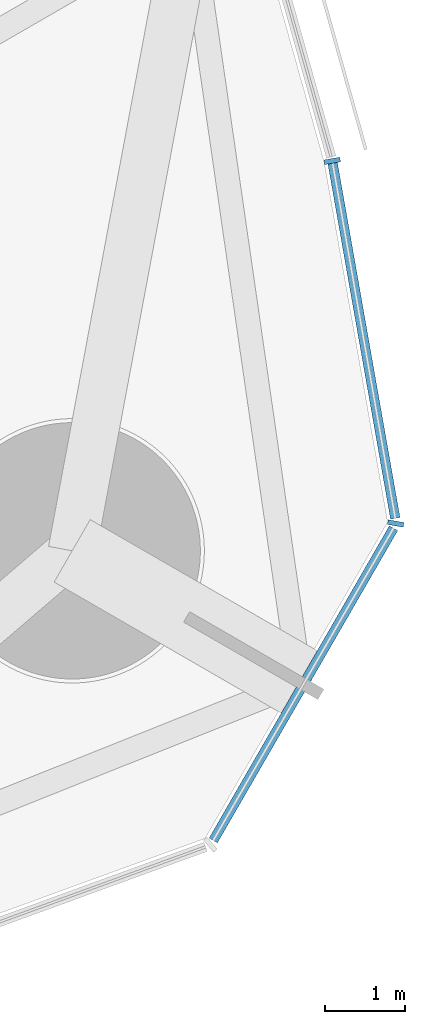
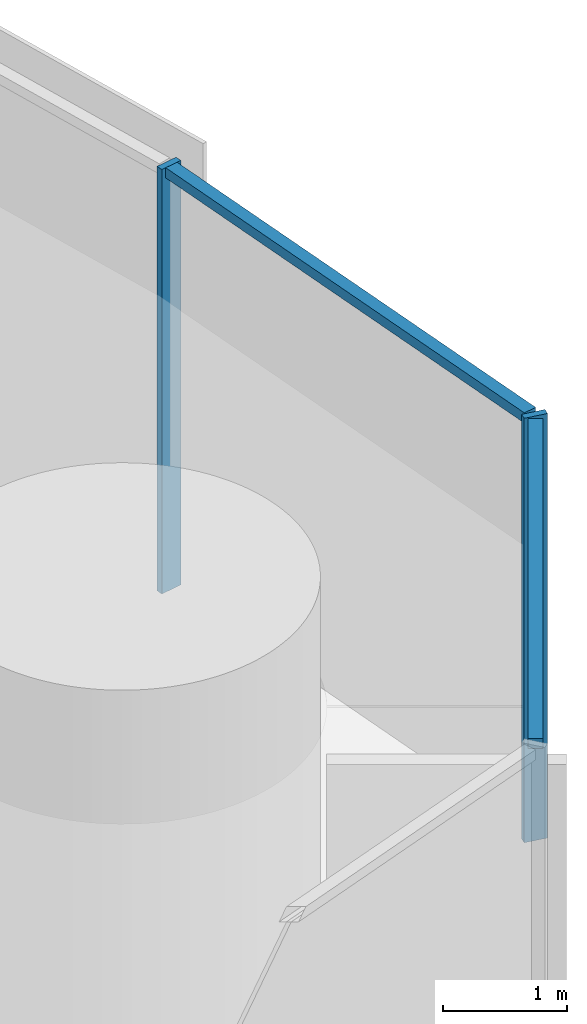
# One storey, part 9 of 19: 4 members, 1 element without a shape of its own.
"""IFC4 building model written with IfcOpenShell, lengths in metres."""

from ifc_helpers import new_model, si_unit, direction, frame, origin, origin_2d, place, context, subcontext, project, spatial, rectangle, extrude, material, material_profile, profile_set, type_object, element, aggregate, save


model = new_model("IFC4")

# Units and contexts
model_context = context("Model", 3, precision=1e-05, world=origin(), true_north=direction((0.0, 1.0)))
body_context = subcontext(model_context, "Body", "Model", "MODEL_VIEW")
ifc_project = project(units=[si_unit("LENGTHUNIT", "METRE"), si_unit("AREAUNIT", "SQUARE_METRE"), si_unit("VOLUMEUNIT", "CUBIC_METRE"), si_unit("PLANEANGLEUNIT", "RADIAN"), si_unit("MASSUNIT", "GRAM", prefix="KILO")], contexts=[model_context])

# Site, building, storey
site_placement = place(None, origin())
site = spatial("IfcSite", under=ifc_project, at=site_placement, CompositionType="ELEMENT")
building_placement = place(site_placement, origin())
building = spatial("IfcBuilding", under=site, at=building_placement, Name="Trefoil Bronze Tower", CompositionType="ELEMENT")
storey_placement = place(building_placement, frame((0.0, 0.0, 227.5)))
storey = spatial("IfcBuildingStorey", under=building, at=storey_placement, Name="L52", CompositionType="ELEMENT", Elevation=227.5)

# Curtain wall, members
ifc_material_1 = material(Name="Tinted solar-control glass", Category="glass")
curtain_wall_type = type_object("IfcCurtainWallType", Name="Bronze rounded corner curtain wall", PredefinedType="USERDEFINED", material=ifc_material_1)
curtain_wall_placement = place(storey_placement, origin())
curtain_wall = element("IfcCurtainWall", 1, at=curtain_wall_placement, inside=storey, type_object=curtain_wall_type, Name="CW-B L52 K1", ObjectType="CURTAIN WALL", PredefinedType="USERDEFINED")
ifc_material_2 = material(Name="Bronze-finish aluminium", Category="aluminium")
ifc_material_profile_1 = material_profile(ifc_material_2, rectangle(XDim=0.199951171875, YDim=0.06005859375, at=origin_2d()), Name="CW-B mullion")
ifc_profile_set_1 = profile_set([ifc_material_profile_1], Name="Bronze-finish aluminium")
member_type_1 = type_object("IfcMemberType", Name="Bronze rounded corner curtain wall mullion", PredefinedType="MULLION", material=ifc_profile_set_1)
member_1_placement = place(storey_placement, frame((32.616943359375, -16.158935546875, 0.0), z_axis=(0.0, 0.0, 1.0), x_axis=(-0.984807753012, 0.173648177667, 0.0)))
member_1 = element("IfcMember", 2, at=member_1_placement, type_object=member_type_1, Name="CW-B L52 K1 mullion 3", PredefinedType="MULLION", context=body_context, shape_type="SweptSolid", body=[
    extrude(rectangle(XDim=0.199951171875, YDim=0.06005859375, at=origin_2d()), origin(), (0.0, 0.0, 1.0), 4.179931640625),
])
member_2_placement = place(storey_placement, frame((31.824951171875, -11.63330078125, 0.0), z_axis=(0.0, 0.0, 1.0), x_axis=(-0.984807753012, -0.173648177667, 0.0)))
member_2 = element("IfcMember", 3, at=member_2_placement, type_object=member_type_1, Name="CW-B L52 K1 mullion 4", PredefinedType="MULLION", context=body_context, shape_type="SweptSolid", body=[
    extrude(rectangle(XDim=0.199951171875, YDim=0.06005859375, at=origin_2d()), origin(), (0.0, 0.0, 1.0), 4.179931640625),
])
ifc_material_3 = material(Name="Bronze-finish aluminium", Category="aluminium")
ifc_material_profile_2 = material_profile(ifc_material_3, rectangle(XDim=0.1201171875, YDim=0.10009765625, at=origin_2d()), Name="CW-B transom")
ifc_profile_set_2 = profile_set([ifc_material_profile_2], Name="Bronze-finish aluminium")
member_type_2 = type_object("IfcMemberType", Name="Bronze rounded corner curtain wall transom", PredefinedType="USERDEFINED", material=ifc_profile_set_2)
member_3_placement = place(storey_placement, frame((30.33984375, -20.114990234375, 4.1298828125), z_axis=(0.500007335828, 0.866021168401, 0.0), x_axis=(-0.866021168401, 0.500007335828, 0.0)))
member_3 = element("IfcMember", 4, at=member_3_placement, type_object=member_type_2, Name="CW-B L52 K1 transom 2", ObjectType="TRANSOM", PredefinedType="USERDEFINED", context=body_context, shape_type="SweptSolid", body=[
    extrude(rectangle(XDim=0.1201171875, YDim=0.10009765625, at=origin_2d()), origin(), (0.0, 0.0, 1.0), 4.50048828125),
])
member_4_placement = place(storey_placement, frame((32.611572265625, -16.0947265625, 4.1298828125), z_axis=(-0.173655350028, 0.984806488304, 0.0), x_axis=(-0.984806488304, -0.173655350028, 0.0)))
member_4 = element("IfcMember", 5, at=member_4_placement, type_object=member_type_2, Name="CW-B L52 K1 transom 3", ObjectType="TRANSOM", PredefinedType="USERDEFINED", context=body_context, shape_type="SweptSolid", body=[
    extrude(rectangle(XDim=0.1201171875, YDim=0.10009765625, at=origin_2d()), origin(), (0.0, 0.0, 1.0), 4.500244140625),
])
aggregate(curtain_wall, [member_1, member_2, member_3, member_4])

save(model, "model.ifc")
